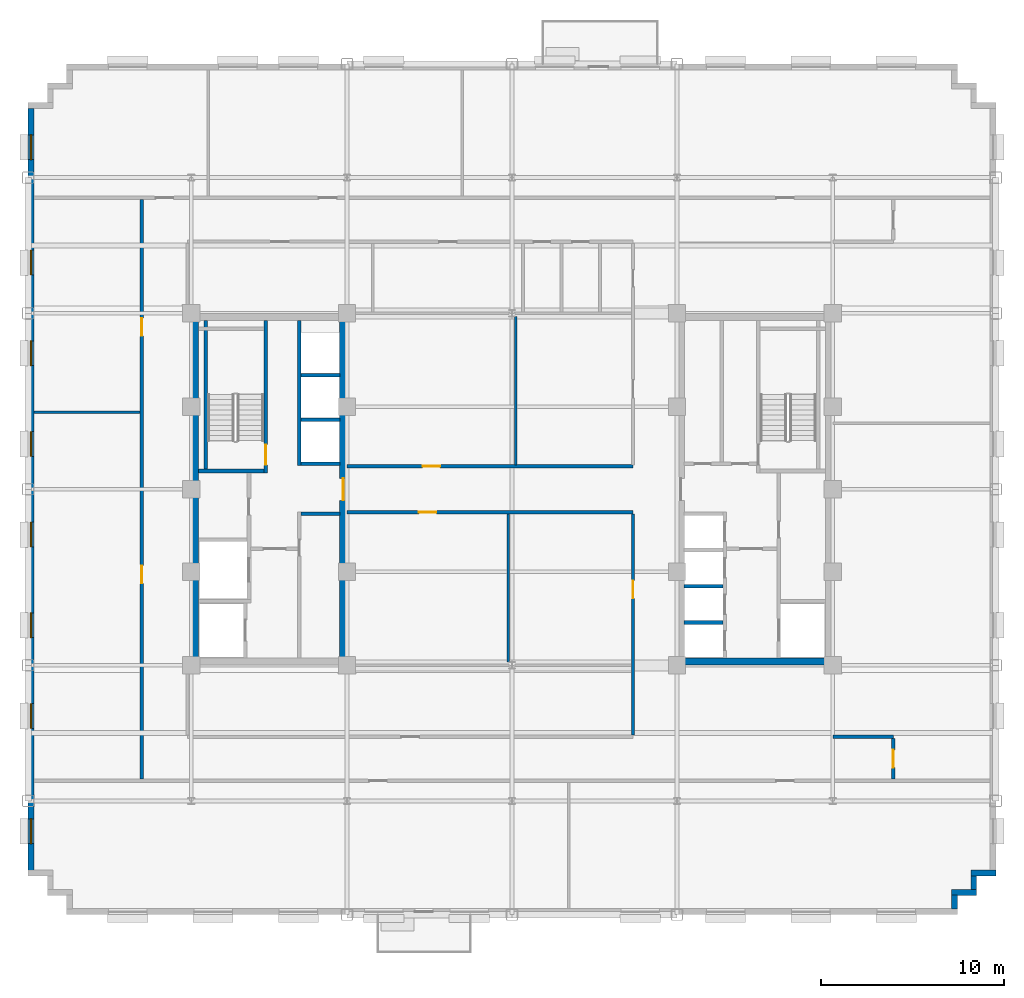
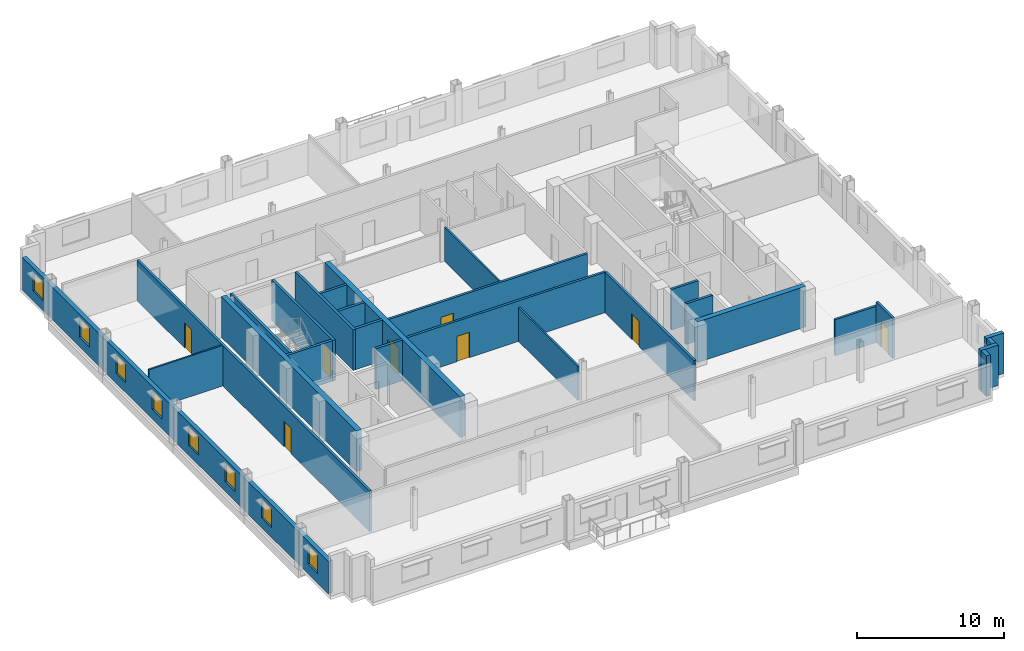
# One storey, part 7 of 14: 27 walls, 8 doors, 8 windows, 16 openings.
"""IFC4 building model written with IfcOpenShell, lengths in metres."""

from ifc_helpers import new_model, si_unit, direction, frame, frame_2d, origin, place, context, subcontext, project, spatial, rectangle, extrude, source, transform, mapped, material, layer, layer_set, type_object, type_shapes, element, fill, save


model = new_model("IFC4")

# Units and contexts
model_context = context("Model", 3, precision=1e-05, world=origin(), true_north=direction((0.0, 1.0)))
body_context = subcontext(model_context, "Body", "Model", "MODEL_VIEW")
ifc_project = project(units=[si_unit("LENGTHUNIT", "METRE"), si_unit("AREAUNIT", "SQUARE_METRE"), si_unit("VOLUMEUNIT", "CUBIC_METRE"), si_unit("PLANEANGLEUNIT", "RADIAN"), si_unit("MASSUNIT", "GRAM", prefix="KILO")], contexts=[model_context])

# Site, building, storey
site_placement = place(None, origin())
site = spatial("IfcSite", under=ifc_project, at=site_placement, CompositionType="ELEMENT")
building_placement = place(site_placement, origin())
building = spatial("IfcBuilding", under=site, at=building_placement, Name="Nuvemarco Arch Tower", CompositionType="ELEMENT")
storey_placement = place(building_placement, frame((0.0, 0.0, 145.75)))
storey = spatial("IfcBuildingStorey", under=building, at=storey_placement, Name="L38", CompositionType="ELEMENT", Elevation=145.75)

# Walls
ifc_material_1 = material(Name="Precast concrete C45/55", Category="concrete")
ifc_layer_1 = layer(ifc_material_1, 0.320068359375, Name="EW-MID-320")
ifc_layer_set_1 = layer_set([ifc_layer_1], Name="Precast concrete C45/55")
wall_type_1 = type_object("IfcWallType", Name="EW-MID-320", PredefinedType="STANDARD", material=ifc_layer_set_1)
wall_1_placement = place(storey_placement, frame((24.139892578125, -22.884033203125, 0.0), z_axis=(0.0, 0.0, 1.0), x_axis=(0.0, 1.0, 0.0)))
element("IfcWall", 1, at=wall_1_placement, inside=storey, type_object=wall_type_1, Name="L38 exterior precast facade wall 2", PredefinedType="STANDARD", context=body_context, shape_type="SweptSolid", body=[
    extrude(rectangle(XDim=0.738037109375, YDim=0.320068359375, at=frame_2d((0.369140625, 0.0))), origin(), (0.0, 0.0, 1.0), 3.360107421875),
])
wall_2_placement = place(storey_placement, frame((23.97998046875, -21.989990234375, 0.0), z_axis=(0.0, 0.0, 1.0), x_axis=(1.0, 0.0, 0.0)))
element("IfcWall", 2, at=wall_2_placement, inside=storey, type_object=wall_type_1, Name="L38 exterior precast facade wall 3", PredefinedType="STANDARD", context=body_context, shape_type="SweptSolid", body=[
    extrude(rectangle(XDim=1.3701171875, YDim=0.320068359375, at=frame_2d((0.68505859375, 0.0))), origin(), (0.0, 0.0, 1.0), 3.360107421875),
])
wall_3_placement = place(storey_placement, frame((25.18994140625, -21.833984375, 0.0), z_axis=(0.0, 0.0, 1.0), x_axis=(0.0, 1.0, 0.0)))
element("IfcWall", 3, at=wall_3_placement, inside=storey, type_object=wall_type_1, Name="L38 exterior precast facade wall 4", PredefinedType="STANDARD", context=body_context, shape_type="SweptSolid", body=[
    extrude(rectangle(XDim=0.738037109375, YDim=0.320068359375, at=frame_2d((0.369140625, 0.0))), origin(), (0.0, 0.0, 1.0), 3.360107421875),
])
wall_4_placement = place(storey_placement, frame((25.030029296875, -20.93994140625, 0.0), z_axis=(0.0, 0.0, 1.0), x_axis=(1.0, 0.0, 0.0)))
element("IfcWall", 4, at=wall_4_placement, inside=storey, type_object=wall_type_1, Name="L38 exterior precast facade wall 5", PredefinedType="STANDARD", context=body_context, shape_type="SweptSolid", body=[
    extrude(rectangle(XDim=1.369873046875, YDim=0.320068359375, at=frame_2d((0.68505859375, 0.0))), origin(), (0.0, 0.0, 1.0), 3.360107421875),
])

# Wall, openings, windows
wall_5_placement = place(storey_placement, frame((-26.239990234375, -20.783935546875, 0.0), z_axis=(0.0, 0.0, 1.0), x_axis=(0.0, 1.0, 0.0)))
wall_5 = element("IfcWall", 5, at=wall_5_placement, inside=storey, type_object=wall_type_1, Name="L38 exterior precast facade wall 16", PredefinedType="STANDARD", context=body_context, shape_type="SweptSolid", body=[
    extrude(rectangle(XDim=41.56787109375, YDim=0.320068359375, at=frame_2d((20.783935546875, 0.0))), origin(), (0.0, 0.0, 1.0), 2.705078125),
])
opening_1_placement = place(wall_5_placement, frame((1.447998046875, 0.0, 0.800048828125)))
opening_1 = element("IfcOpeningElement", 6, at=opening_1_placement, cuts=wall_5, Name="Opening WN-6", PredefinedType="OPENING", context=body_context, shape_type="SweptSolid", body=[
    extrude(rectangle(XDim=1.35009765625, YDim=1.56005859375, at=frame_2d((0.675048828125, 0.780029296875))), frame((0.0, 0.169921875, 0.0), z_axis=(0.0, -1.0, 0.0), x_axis=(1.0, 0.0, 0.0)), (0.0, 0.0, 1.0), 0.340087890625),
])
opening_2_placement = place(wall_5_placement, frame((7.743896484375, 0.0, 0.800048828125)))
opening_2 = element("IfcOpeningElement", 7, at=opening_2_placement, cuts=wall_5, Name="Opening WN-6", PredefinedType="OPENING", context=body_context, shape_type="SweptSolid", body=[
    extrude(rectangle(XDim=1.35009765625, YDim=1.56005859375, at=frame_2d((0.675048828125, 0.780029296875))), frame((0.0, 0.169921875, 0.0), z_axis=(0.0, -1.0, 0.0), x_axis=(1.0, 0.0, 0.0)), (0.0, 0.0, 1.0), 0.340087890625),
])
opening_3_placement = place(wall_5_placement, frame((12.68994140625, 0.0, 0.800048828125)))
opening_3 = element("IfcOpeningElement", 8, at=opening_3_placement, cuts=wall_5, Name="Opening WN-6", PredefinedType="OPENING", context=body_context, shape_type="SweptSolid", body=[
    extrude(rectangle(XDim=1.35009765625, YDim=1.56005859375, at=frame_2d((0.675048828125, 0.780029296875))), frame((0.0, 0.169921875, 0.0), z_axis=(0.0, -1.0, 0.0), x_axis=(1.0, 0.0, 0.0)), (0.0, 0.0, 1.0), 0.340087890625),
])
opening_4_placement = place(wall_5_placement, frame((17.635986328125, 0.0, 0.800048828125)))
opening_4 = element("IfcOpeningElement", 9, at=opening_4_placement, cuts=wall_5, Name="Opening WN-6", PredefinedType="OPENING", context=body_context, shape_type="SweptSolid", body=[
    extrude(rectangle(XDim=1.35009765625, YDim=1.56005859375, at=frame_2d((0.675048828125, 0.780029296875))), frame((0.0, 0.169921875, 0.0), z_axis=(0.0, -1.0, 0.0), x_axis=(1.0, 0.0, 0.0)), (0.0, 0.0, 1.0), 0.340087890625),
])
opening_5_placement = place(wall_5_placement, frame((22.58203125, 0.0, 0.800048828125)))
opening_5 = element("IfcOpeningElement", 10, at=opening_5_placement, cuts=wall_5, Name="Opening WN-6", PredefinedType="OPENING", context=body_context, shape_type="SweptSolid", body=[
    extrude(rectangle(XDim=1.35009765625, YDim=1.56005859375, at=frame_2d((0.675048828125, 0.780029296875))), frame((0.0, 0.169921875, 0.0), z_axis=(0.0, -1.0, 0.0), x_axis=(1.0, 0.0, 0.0)), (0.0, 0.0, 1.0), 0.340087890625),
])
opening_6_placement = place(wall_5_placement, frame((27.528076171875, 0.0, 0.800048828125)))
opening_6 = element("IfcOpeningElement", 11, at=opening_6_placement, cuts=wall_5, Name="Opening WN-6", PredefinedType="OPENING", context=body_context, shape_type="SweptSolid", body=[
    extrude(rectangle(XDim=1.35009765625, YDim=1.56005859375, at=frame_2d((0.675048828125, 0.780029296875))), frame((0.0, 0.169921875, 0.0), z_axis=(0.0, -1.0, 0.0), x_axis=(1.0, 0.0, 0.0)), (0.0, 0.0, 1.0), 0.340087890625),
])
opening_7_placement = place(wall_5_placement, frame((32.47412109375, 0.0, 0.800048828125)))
opening_7 = element("IfcOpeningElement", 12, at=opening_7_placement, cuts=wall_5, Name="Opening WN-6", PredefinedType="OPENING", context=body_context, shape_type="SweptSolid", body=[
    extrude(rectangle(XDim=1.35009765625, YDim=1.56005859375, at=frame_2d((0.675048828125, 0.780029296875))), frame((0.0, 0.169921875, 0.0), z_axis=(0.0, -1.0, 0.0), x_axis=(1.0, 0.0, 0.0)), (0.0, 0.0, 1.0), 0.340087890625),
])
opening_8_placement = place(wall_5_placement, frame((38.77001953125, 0.0, 0.800048828125)))
opening_8 = element("IfcOpeningElement", 13, at=opening_8_placement, cuts=wall_5, Name="Opening WN-6", PredefinedType="OPENING", context=body_context, shape_type="SweptSolid", body=[
    extrude(rectangle(XDim=1.35009765625, YDim=1.56005859375, at=frame_2d((0.675048828125, 0.780029296875))), frame((0.0, 0.169921875, 0.0), z_axis=(0.0, -1.0, 0.0), x_axis=(1.0, 0.0, 0.0)), (0.0, 0.0, 1.0), 0.340087890625),
])
ifc_material_2 = material(Name="Insulated solar-control glass", Category="glass")
window_type = type_object("IfcWindowType", Name="WN-MID-1350x1560", PartitioningType="SINGLE_PANEL", PredefinedType="WINDOW", material=ifc_material_2)
shared_shape_1 = source(origin(), body_context, "Body", "SweptSolid", [
    extrude(rectangle(XDim=1.35009765625, YDim=1.56005859375, at=frame_2d((0.675048828125, 0.780029296875))), frame((0.0, 0.030029296875, 0.0), z_axis=(0.0, -1.0, 0.0), x_axis=(1.0, 0.0, 0.0)), (0.0, 0.0, 1.0), 0.06005859375),
])
type_shapes(window_type, [shared_shape_1])
window_1_placement = place(opening_1_placement, origin())
window_1 = element("IfcWindow", 14, at=window_1_placement, inside=storey, type_object=window_type, Name="L38 punched facade window 1", OverallHeight=1.56005859375, OverallWidth=1.35009765625, PartitioningType="SINGLE_PANEL", PredefinedType="WINDOW", context=body_context, shape_type="MappedRepresentation", body=[
    mapped(shared_shape_1, transform((0.0, 0.0, 0.0), scale=1.0)),
])
fill(opening_1, window_1)
window_2_placement = place(opening_2_placement, origin())
window_2 = element("IfcWindow", 15, at=window_2_placement, inside=storey, type_object=window_type, Name="L38 punched facade window 2", OverallHeight=1.56005859375, OverallWidth=1.35009765625, PartitioningType="SINGLE_PANEL", PredefinedType="WINDOW", context=body_context, shape_type="MappedRepresentation", body=[
    mapped(shared_shape_1, transform((0.0, 0.0, 0.0), scale=1.0)),
])
fill(opening_2, window_2)
window_3_placement = place(opening_3_placement, origin())
window_3 = element("IfcWindow", 16, at=window_3_placement, inside=storey, type_object=window_type, Name="L38 punched facade window 3", OverallHeight=1.56005859375, OverallWidth=1.35009765625, PartitioningType="SINGLE_PANEL", PredefinedType="WINDOW", context=body_context, shape_type="MappedRepresentation", body=[
    mapped(shared_shape_1, transform((0.0, 0.0, 0.0), scale=1.0)),
])
fill(opening_3, window_3)
window_4_placement = place(opening_4_placement, origin())
window_4 = element("IfcWindow", 17, at=window_4_placement, inside=storey, type_object=window_type, Name="L38 punched facade window 4", OverallHeight=1.56005859375, OverallWidth=1.35009765625, PartitioningType="SINGLE_PANEL", PredefinedType="WINDOW", context=body_context, shape_type="MappedRepresentation", body=[
    mapped(shared_shape_1, transform((0.0, 0.0, 0.0), scale=1.0)),
])
fill(opening_4, window_4)
window_5_placement = place(opening_5_placement, origin())
window_5 = element("IfcWindow", 18, at=window_5_placement, inside=storey, type_object=window_type, Name="L38 punched facade window 5", OverallHeight=1.56005859375, OverallWidth=1.35009765625, PartitioningType="SINGLE_PANEL", PredefinedType="WINDOW", context=body_context, shape_type="MappedRepresentation", body=[
    mapped(shared_shape_1, transform((0.0, 0.0, 0.0), scale=1.0)),
])
fill(opening_5, window_5)
window_6_placement = place(opening_6_placement, origin())
window_6 = element("IfcWindow", 19, at=window_6_placement, inside=storey, type_object=window_type, Name="L38 punched facade window 6", OverallHeight=1.56005859375, OverallWidth=1.35009765625, PartitioningType="SINGLE_PANEL", PredefinedType="WINDOW", context=body_context, shape_type="MappedRepresentation", body=[
    mapped(shared_shape_1, transform((0.0, 0.0, 0.0), scale=1.0)),
])
fill(opening_6, window_6)
window_7_placement = place(opening_7_placement, origin())
window_7 = element("IfcWindow", 20, at=window_7_placement, inside=storey, type_object=window_type, Name="L38 punched facade window 7", OverallHeight=1.56005859375, OverallWidth=1.35009765625, PartitioningType="SINGLE_PANEL", PredefinedType="WINDOW", context=body_context, shape_type="MappedRepresentation", body=[
    mapped(shared_shape_1, transform((0.0, 0.0, 0.0), scale=1.0)),
])
fill(opening_7, window_7)
window_8_placement = place(opening_8_placement, origin())
window_8 = element("IfcWindow", 21, at=window_8_placement, inside=storey, type_object=window_type, Name="L38 punched facade window 8", OverallHeight=1.56005859375, OverallWidth=1.35009765625, PartitioningType="SINGLE_PANEL", PredefinedType="WINDOW", context=body_context, shape_type="MappedRepresentation", body=[
    mapped(shared_shape_1, transform((0.0, 0.0, 0.0), scale=1.0)),
])
fill(opening_8, window_8)

# Wall
ifc_material_3 = material(Name="Concrete C60/75", Category="concrete")
ifc_layer_2 = layer(ifc_material_3, 0.39990234375, Name="WL-CORE-400")
ifc_layer_set_2 = layer_set([ifc_layer_2], Name="Concrete C60/75")
wall_type_2 = type_object("IfcWallType", Name="WL-CORE-400", PredefinedType="SHEAR", material=ifc_layer_set_2)
wall_6_placement = place(storey_placement, frame((-17.300048828125, -9.205078125, 0.0), z_axis=(0.0, 0.0, 1.0), x_axis=(0.0, 1.0, 0.0)))
element("IfcWall", 22, at=wall_6_placement, inside=storey, type_object=wall_type_2, Name="L38 W-core shear wall W", PredefinedType="SHEAR", context=body_context, shape_type="SweptSolid", body=[
    extrude(rectangle(XDim=18.41015625, YDim=0.39990234375, at=frame_2d((9.205078125, 0.0))), origin(), (0.0, 0.0, 1.0), 3.3701171875),
])

# Wall, opening, door
wall_7_placement = place(storey_placement, frame((-9.199951171875, -9.205078125, 0.0), z_axis=(0.0, 0.0, 1.0), x_axis=(0.0, 1.0, 0.0)))
wall_7 = element("IfcWall", 23, at=wall_7_placement, inside=storey, type_object=wall_type_2, Name="L38 W-core shear wall E", PredefinedType="SHEAR", context=body_context, shape_type="SweptSolid", body=[
    extrude(rectangle(XDim=18.41015625, YDim=0.39990234375, at=frame_2d((9.205078125, 0.0))), origin(), (0.0, 0.0, 1.0), 3.3701171875),
])
opening_9_placement = place(wall_7_placement, frame((8.60498046875, 0.0, 0.0)))
opening_9 = element("IfcOpeningElement", 24, at=opening_9_placement, cuts=wall_7, Name="Opening FD-2", PredefinedType="OPENING", context=body_context, shape_type="SweptSolid", body=[
    extrude(rectangle(XDim=1.199951171875, YDim=2.14990234375, at=frame_2d((0.60009765625, 1.074951171875))), frame((0.0, 0.2099609375, 0.0), z_axis=(0.0, -1.0, 0.0), x_axis=(1.0, 0.0, 0.0)), (0.0, 0.0, 1.0), 0.419921875),
])
ifc_material_4 = material(Name="Anodised steel fire door", Category="steel")
door_type_1 = type_object("IfcDoorType", Name="DR-FFLOB-FD", OperationType="NOTDEFINED", PredefinedType="DOOR", material=ifc_material_4)
shared_shape_2 = source(origin(), body_context, "Body", "SweptSolid", [
    extrude(rectangle(XDim=1.199951171875, YDim=2.14990234375, at=frame_2d((0.60009765625, 1.074951171875))), frame((0.0, 0.02490234375, 0.0), z_axis=(0.0, -1.0, 0.0), x_axis=(1.0, 0.0, 0.0)), (0.0, 0.0, 1.0), 0.050048828125),
])
type_shapes(door_type_1, [shared_shape_2])
door_1_placement = place(opening_9_placement, origin())
door_1 = element("IfcDoor", 25, at=door_1_placement, inside=storey, type_object=door_type_1, Name="L38 door FD-L38-WCORE-E", OperationType="SINGLE_SWING_LEFT", OverallHeight=2.14990234375, OverallWidth=1.199951171875, PredefinedType="DOOR", context=body_context, shape_type="MappedRepresentation", body=[
    mapped(shared_shape_2, transform((0.0, 0.0, 0.0), scale=1.0)),
])
fill(opening_9, door_1)

# Walls
wall_8_placement = place(storey_placement, frame((9.0, -9.39990234375, 0.0), z_axis=(0.0, 0.0, 1.0), x_axis=(1.0, 0.0, 0.0)))
element("IfcWall", 26, at=wall_8_placement, inside=storey, type_object=wall_type_2, Name="L38 E-core shear wall S", PredefinedType="SHEAR", context=body_context, shape_type="SweptSolid", body=[
    extrude(rectangle(XDim=8.5, YDim=0.39990234375, at=frame_2d((4.25, 0.0))), origin(), (0.0, 0.0, 1.0), 3.3701171875),
])
ifc_material_5 = material(Name="Fire-rated gypsum drywall partition")
ifc_layer_3 = layer(ifc_material_5, 0.179931640625, Name="WL-CORR-180")
ifc_layer_set_3 = layer_set([ifc_layer_3], Name="Fire-rated gypsum drywall partition")
wall_type_3 = type_object("IfcWallType", Name="WL-CORR-180", PredefinedType="PARTITIONING", material=ifc_layer_set_3)
wall_9_placement = place(storey_placement, frame((17.5, -13.5, 0.0), z_axis=(0.0, 0.0, 1.0), x_axis=(1.0, 0.0, 0.0)))
element("IfcWall", 27, at=wall_9_placement, inside=storey, type_object=wall_type_3, Name="L38 interior wall IW-L38-003", PredefinedType="PARTITIONING", context=body_context, shape_type="SweptSolid", body=[
    extrude(rectangle(XDim=3.300048828125, YDim=0.179931640625, at=frame_2d((1.64990234375, 0.0))), origin(), (0.0, 0.0, 1.0), 2.998046875),
])

# Wall, opening, door
wall_10_placement = place(storey_placement, frame((-9.0, -1.25, 0.0), z_axis=(0.0, 0.0, 1.0), x_axis=(1.0, 0.0, 0.0)))
wall_10 = element("IfcWall", 28, at=wall_10_placement, inside=storey, type_object=wall_type_3, Name="L38 interior wall IW-L38-006", PredefinedType="PARTITIONING", context=body_context, shape_type="SweptSolid", body=[
    extrude(rectangle(XDim=15.60009765625, YDim=0.179931640625, at=frame_2d((7.800048828125, 0.0))), origin(), (0.0, 0.0, 1.0), 3.360107421875),
])
opening_10_placement = place(wall_10_placement, frame((3.919921875, 0.0, 0.0)))
opening_10 = element("IfcOpeningElement", 29, at=opening_10_placement, cuts=wall_10, Name="Opening FD-5", PredefinedType="OPENING", context=body_context, shape_type="SweptSolid", body=[
    extrude(rectangle(XDim=0.9599609375, YDim=2.10009765625, at=frame_2d((0.47998046875, 1.050048828125))), frame((0.0, 0.099853515625, 0.0), z_axis=(0.0, -1.0, 0.0), x_axis=(1.0, 0.0, 0.0)), (0.0, 0.0, 1.0), 0.199951171875),
])
ifc_material_6 = material(Name="Timber fire door", Category="wood")
door_type_2 = type_object("IfcDoorType", Name="DR-CORR-FD", OperationType="NOTDEFINED", PredefinedType="DOOR", material=ifc_material_6)
shared_shape_3 = source(origin(), body_context, "Body", "SweptSolid", [
    extrude(rectangle(XDim=0.9599609375, YDim=2.10009765625, at=frame_2d((0.47998046875, 1.050048828125))), frame((0.0, 0.02490234375, 0.0), z_axis=(0.0, -1.0, 0.0), x_axis=(1.0, 0.0, 0.0)), (0.0, 0.0, 1.0), 0.050048828125),
])
type_shapes(door_type_2, [shared_shape_3])
door_2_placement = place(opening_10_placement, origin())
door_2 = element("IfcDoor", 30, at=door_2_placement, inside=storey, type_object=door_type_2, Name="L38 door DR-L38-C_SW", OperationType="SINGLE_SWING_RIGHT", OverallHeight=2.10009765625, OverallWidth=0.9599609375, PredefinedType="DOOR", context=body_context, shape_type="MappedRepresentation", body=[
    mapped(shared_shape_3, transform((0.0, 0.0, 0.0), scale=1.0)),
])
fill(opening_10, door_2)

wall_11_placement = place(storey_placement, frame((-9.0, 1.25, 0.0), z_axis=(0.0, 0.0, 1.0), x_axis=(1.0, 0.0, 0.0)))
wall_11 = element("IfcWall", 31, at=wall_11_placement, inside=storey, type_object=wall_type_3, Name="L38 interior wall IW-L38-007", PredefinedType="PARTITIONING", context=body_context, shape_type="SweptSolid", body=[
    extrude(rectangle(XDim=15.60009765625, YDim=0.179931640625, at=frame_2d((7.800048828125, 0.0))), origin(), (0.0, 0.0, 1.0), 3.360107421875),
])
opening_11_placement = place(wall_11_placement, frame((4.1201171875, 0.0, 0.0)))
opening_11 = element("IfcOpeningElement", 32, at=opening_11_placement, cuts=wall_11, Name="Opening FD-5", PredefinedType="OPENING", context=body_context, shape_type="SweptSolid", body=[
    extrude(rectangle(XDim=0.9599609375, YDim=2.10009765625, at=frame_2d((0.47998046875, 1.050048828125))), frame((0.0, 0.099853515625, 0.0), z_axis=(0.0, -1.0, 0.0), x_axis=(1.0, 0.0, 0.0)), (0.0, 0.0, 1.0), 0.199951171875),
])
door_3_placement = place(opening_11_placement, origin())
door_3 = element("IfcDoor", 33, at=door_3_placement, inside=storey, type_object=door_type_2, Name="L38 door DR-L38-C_NW", OperationType="SINGLE_SWING_LEFT", OverallHeight=2.10009765625, OverallWidth=0.9599609375, PredefinedType="DOOR", context=body_context, shape_type="MappedRepresentation", body=[
    mapped(shared_shape_3, transform((0.0, 0.0, 0.0), scale=1.0)),
])
fill(opening_11, door_3)

# Wall, openings, doors
wall_12_placement = place(storey_placement, frame((-20.199951171875, -15.81396484375, 0.0), z_axis=(0.0, 0.0, 1.0), x_axis=(0.0, 1.0, 0.0)))
wall_12 = element("IfcWall", 34, at=wall_12_placement, inside=storey, type_object=wall_type_3, Name="L38 interior wall IW-L38-015", PredefinedType="PARTITIONING", context=body_context, shape_type="SweptSolid", body=[
    extrude(rectangle(XDim=31.6279296875, YDim=0.179931640625, at=frame_2d((15.81396484375, 0.0))), origin(), (0.0, 0.0, 1.0), 3.360107421875),
])
opening_12_placement = place(wall_12_placement, frame((10.68408203125, 0.0, 0.0)))
opening_12 = element("IfcOpeningElement", 35, at=opening_12_placement, cuts=wall_12, Name="Opening FD-5", PredefinedType="OPENING", context=body_context, shape_type="SweptSolid", body=[
    extrude(rectangle(XDim=0.9599609375, YDim=2.10009765625, at=frame_2d((0.47998046875, 1.050048828125))), frame((0.0, 0.099853515625, 0.0), z_axis=(0.0, -1.0, 0.0), x_axis=(1.0, 0.0, 0.0)), (0.0, 0.0, 1.0), 0.199951171875),
])
opening_13_placement = place(wall_12_placement, frame((24.18408203125, 0.0, 0.0)))
opening_13 = element("IfcOpeningElement", 36, at=opening_13_placement, cuts=wall_12, Name="Opening FD-5", PredefinedType="OPENING", context=body_context, shape_type="SweptSolid", body=[
    extrude(rectangle(XDim=0.9599609375, YDim=2.10009765625, at=frame_2d((0.47998046875, 1.050048828125))), frame((0.0, 0.099853515625, 0.0), z_axis=(0.0, -1.0, 0.0), x_axis=(1.0, 0.0, 0.0)), (0.0, 0.0, 1.0), 0.199951171875),
])
door_4_placement = place(opening_12_placement, origin())
door_4 = element("IfcDoor", 37, at=door_4_placement, inside=storey, type_object=door_type_2, Name="L38 door DR-L38-W_1", OperationType="SINGLE_SWING_LEFT", OverallHeight=2.10009765625, OverallWidth=0.9599609375, PredefinedType="DOOR", context=body_context, shape_type="MappedRepresentation", body=[
    mapped(shared_shape_3, transform((0.0, 0.0, 0.0), scale=1.0)),
])
fill(opening_12, door_4)
door_5_placement = place(opening_13_placement, origin())
door_5 = element("IfcDoor", 38, at=door_5_placement, inside=storey, type_object=door_type_2, Name="L38 door DR-L38-W_2", OperationType="SINGLE_SWING_RIGHT", OverallHeight=2.10009765625, OverallWidth=0.9599609375, PredefinedType="DOOR", context=body_context, shape_type="MappedRepresentation", body=[
    mapped(shared_shape_3, transform((0.0, 0.0, 0.0), scale=1.0)),
])
fill(opening_13, door_5)

# Wall, opening, door
wall_13_placement = place(storey_placement, frame((6.60009765625, -13.4140625, 0.0), z_axis=(0.0, 0.0, 1.0), x_axis=(0.0, 1.0, 0.0)))
wall_13 = element("IfcWall", 39, at=wall_13_placement, inside=storey, type_object=wall_type_3, Name="L38 interior wall IW-L38-027", PredefinedType="PARTITIONING", context=body_context, shape_type="SweptSolid", body=[
    extrude(rectangle(XDim=12.078125, YDim=0.179931640625, at=frame_2d((6.0390625, 0.0))), origin(), (0.0, 0.0, 1.0), 3.360107421875),
])
opening_14_placement = place(wall_13_placement, frame((7.466064453125, 0.0, 0.0)))
opening_14 = element("IfcOpeningElement", 40, at=opening_14_placement, cuts=wall_13, Name="Opening FD-5", PredefinedType="OPENING", context=body_context, shape_type="SweptSolid", body=[
    extrude(rectangle(XDim=0.9599609375, YDim=2.10009765625, at=frame_2d((0.47998046875, 1.050048828125))), frame((0.0, 0.099853515625, 0.0), z_axis=(0.0, -1.0, 0.0), x_axis=(1.0, 0.0, 0.0)), (0.0, 0.0, 1.0), 0.199951171875),
])
door_6_placement = place(opening_14_placement, origin())
door_6 = element("IfcDoor", 41, at=door_6_placement, inside=storey, type_object=door_type_2, Name="L38 door DR-L38-C_SE", OperationType="SINGLE_SWING_RIGHT", OverallHeight=2.10009765625, OverallWidth=0.9599609375, PredefinedType="DOOR", context=body_context, shape_type="MappedRepresentation", body=[
    mapped(shared_shape_3, transform((0.0, 0.0, 0.0), scale=1.0)),
])
fill(opening_14, door_6)

wall_14_placement = place(storey_placement, frame((20.800048828125, -15.81396484375, 0.0), z_axis=(0.0, 0.0, 1.0), x_axis=(0.0, 1.0, 0.0)))
wall_14 = element("IfcWall", 42, at=wall_14_placement, inside=storey, type_object=wall_type_3, Name="L38 interior wall IW-L38-029", PredefinedType="PARTITIONING", context=body_context, shape_type="SweptSolid", body=[
    extrude(rectangle(XDim=2.22802734375, YDim=0.179931640625, at=frame_2d((1.114013671875, 0.0))), origin(), (0.0, 0.0, 1.0), 3.360107421875),
])
opening_15_placement = place(wall_14_placement, frame((0.634033203125, 0.0, 0.0)))
opening_15 = element("IfcOpeningElement", 43, at=opening_15_placement, cuts=wall_14, Name="Opening FD-5", PredefinedType="OPENING", context=body_context, shape_type="SweptSolid", body=[
    extrude(rectangle(XDim=0.9599609375, YDim=2.10009765625, at=frame_2d((0.47998046875, 1.050048828125))), frame((0.0, 0.099853515625, 0.0), z_axis=(0.0, -1.0, 0.0), x_axis=(1.0, 0.0, 0.0)), (0.0, 0.0, 1.0), 0.199951171875),
])
door_7_placement = place(opening_15_placement, origin())
door_7 = element("IfcDoor", 44, at=door_7_placement, inside=storey, type_object=door_type_2, Name="L38 door DR-L38-E_1", OperationType="SINGLE_SWING_RIGHT", OverallHeight=2.10009765625, OverallWidth=0.9599609375, PredefinedType="DOOR", context=body_context, shape_type="MappedRepresentation", body=[
    mapped(shared_shape_3, transform((0.0, 0.0, 0.0), scale=1.0)),
])
fill(opening_15, door_7)

# Walls
ifc_material_7 = material(Name="Glazed acoustic office partition")
ifc_layer_4 = layer(ifc_material_7, 0.1298828125, Name="WL-EXEC-130")
ifc_layer_set_4 = layer_set([ifc_layer_4], Name="Glazed acoustic office partition")
wall_type_4 = type_object("IfcWallType", Name="WL-EXEC-130", PredefinedType="PARTITIONING", material=ifc_layer_set_4)
wall_15_placement = place(storey_placement, frame((-26.080078125, 4.199951171875, 0.0), z_axis=(0.0, 0.0, 1.0), x_axis=(1.0, 0.0, 0.0)))
element("IfcWall", 45, at=wall_15_placement, inside=storey, type_object=wall_type_4, Name="L38 interior wall IW-L38-009", PredefinedType="PARTITIONING", context=body_context, shape_type="SweptSolid", body=[
    extrude(rectangle(XDim=5.794189453125, YDim=0.1298828125, at=frame_2d((2.89697265625, 0.0))), origin(), (0.0, 0.0, 1.0), 3.360107421875),
])
wall_16_placement = place(storey_placement, frame((0.199951171875, 1.3359375, 0.0), z_axis=(0.0, 0.0, 1.0), x_axis=(0.0, 1.0, 0.0)))
element("IfcWall", 46, at=wall_16_placement, inside=storey, type_object=wall_type_4, Name="L38 interior wall IW-L38-022", PredefinedType="PARTITIONING", context=body_context, shape_type="SweptSolid", body=[
    extrude(rectangle(XDim=8.088134765625, YDim=0.1298828125, at=frame_2d((4.0439453125, 0.0))), origin(), (0.0, 0.0, 1.0), 2.81591796875),
])
ifc_material_8 = material(Name="Gypsum plasterboard partition")
ifc_layer_5 = layer(ifc_material_8, 0.139892578125, Name="WL-ROOM-140")
ifc_layer_set_5 = layer_set([ifc_layer_5], Name="Gypsum plasterboard partition")
wall_type_5 = type_object("IfcWallType", Name="WL-ROOM-140", PredefinedType="PARTITIONING", material=ifc_layer_set_5)
wall_17_placement = place(storey_placement, frame((-0.199951171875, -9.424072265625, 0.0), z_axis=(0.0, 0.0, 1.0), x_axis=(0.0, 1.0, 0.0)))
element("IfcWall", 47, at=wall_17_placement, inside=storey, type_object=wall_type_5, Name="L38 interior wall IW-L38-021", PredefinedType="PARTITIONING", context=body_context, shape_type="SweptSolid", body=[
    extrude(rectangle(XDim=8.088134765625, YDim=0.139892578125, at=frame_2d((4.0439453125, 0.0))), origin(), (0.0, 0.0, 1.0), 2.81591796875),
])

# Wall, opening, door
ifc_material_9 = material(Name="Concrete C50/60", Category="concrete")
ifc_layer_6 = layer(ifc_material_9, 0.199951171875, Name="WL-SHAFT-220")
ifc_layer_set_6 = layer_set([ifc_layer_6], Name="Concrete C50/60")
wall_type_6 = type_object("IfcWallType", Name="WL-SHAFT-220", PredefinedType="SHEAR", material=ifc_layer_set_6)
wall_18_placement = place(storey_placement, frame((-13.43994140625, 0.89990234375, 0.0), z_axis=(0.0, 0.0, 1.0), x_axis=(0.0, 1.0, 0.0)))
wall_18 = element("IfcWall", 48, at=wall_18_placement, inside=storey, type_object=wall_type_6, Name="L38 structural shaft wall SW-L38-W-ST1E", PredefinedType="SHEAR", context=body_context, shape_type="SweptSolid", body=[
    extrude(rectangle(XDim=8.30517578125, YDim=0.199951171875, at=frame_2d((4.152587890625, 0.0))), origin(), (0.0, 0.0, 1.0), 3.3701171875),
])
opening_16_placement = place(wall_18_placement, frame((1.530029296875, 0.0, 0.0), z_axis=(0.0, 0.0, 1.0), x_axis=(-1.0, 0.0, 0.0)))
opening_16 = element("IfcOpeningElement", 49, at=opening_16_placement, cuts=wall_18, Name="Opening FD-1", PredefinedType="OPENING", context=body_context, shape_type="SweptSolid", body=[
    extrude(rectangle(XDim=1.10009765625, YDim=2.14990234375, at=frame_2d((0.550048828125, 1.074951171875))), frame((0.0, 0.10986328125, 0.0), z_axis=(0.0, -1.0, 0.0), x_axis=(1.0, 0.0, 0.0)), (0.0, 0.0, 1.0), 0.219970703125),
])
door_type_3 = type_object("IfcDoorType", Name="DR-STAIR-FD", OperationType="NOTDEFINED", PredefinedType="DOOR", material=ifc_material_4)
shared_shape_4 = source(origin(), body_context, "Body", "SweptSolid", [
    extrude(rectangle(XDim=1.10009765625, YDim=2.14990234375, at=frame_2d((0.550048828125, 1.074951171875))), frame((0.0, 0.02490234375, 0.0), z_axis=(0.0, -1.0, 0.0), x_axis=(1.0, 0.0, 0.0)), (0.0, 0.0, 1.0), 0.050048828125),
])
type_shapes(door_type_3, [shared_shape_4])
door_8_placement = place(opening_16_placement, origin())
door_8 = element("IfcDoor", 50, at=door_8_placement, inside=storey, type_object=door_type_3, Name="L38 door FD-L38-ST1", OperationType="SINGLE_SWING_RIGHT", OverallHeight=2.14990234375, OverallWidth=1.10009765625, PredefinedType="DOOR", context=body_context, shape_type="MappedRepresentation", body=[
    mapped(shared_shape_4, transform((0.0, 0.0, 0.0), scale=1.0)),
])
fill(opening_16, door_8)

# Walls
wall_19_placement = place(storey_placement, frame((-17.10498046875, 1.0, 0.0), z_axis=(0.0, 0.0, 1.0), x_axis=(1.0, 0.0, 0.0)))
element("IfcWall", 51, at=wall_19_placement, inside=storey, type_object=wall_type_6, Name="L38 structural shaft wall SW-L38-W-ST1S", PredefinedType="SHEAR", context=body_context, shape_type="SweptSolid", body=[
    extrude(rectangle(XDim=3.570068359375, YDim=0.199951171875, at=frame_2d((1.78515625, 0.0))), origin(), (0.0, 0.0, 1.0), 3.3701171875),
])
wall_20_placement = place(storey_placement, frame((-16.699951171875, 1.094970703125, 0.0), z_axis=(0.0, 0.0, 1.0), x_axis=(0.0, 1.0, 0.0)))
element("IfcWall", 52, at=wall_20_placement, inside=storey, type_object=wall_type_6, Name="L38 structural shaft wall SW-L38-W-ST1W", PredefinedType="SHEAR", context=body_context, shape_type="SweptSolid", body=[
    extrude(rectangle(XDim=8.110107421875, YDim=0.199951171875, at=frame_2d((4.05517578125, 0.0))), origin(), (0.0, 0.0, 1.0), 3.3701171875),
])
wall_21_placement = place(storey_placement, frame((-11.5048828125, -1.330078125, 0.0), z_axis=(0.0, 0.0, 1.0), x_axis=(1.0, 0.0, 0.0)))
element("IfcWall", 53, at=wall_21_placement, inside=storey, type_object=wall_type_6, Name="L38 structural shaft wall SW-L38-W-PLTOP", PredefinedType="SHEAR", context=body_context, shape_type="SweptSolid", body=[
    extrude(rectangle(XDim=2.10986328125, YDim=0.199951171875, at=frame_2d((1.054931640625, 0.0))), origin(), (0.0, 0.0, 1.0), 3.3701171875),
])
wall_22_placement = place(storey_placement, frame((-11.60009765625, 1.300048828125, 0.0), z_axis=(0.0, 0.0, 1.0), x_axis=(0.0, 1.0, 0.0)))
element("IfcWall", 54, at=wall_22_placement, inside=storey, type_object=wall_type_6, Name="L38 structural shaft wall SW-L38-W-PHW", PredefinedType="SHEAR", context=body_context, shape_type="SweptSolid", body=[
    extrude(rectangle(XDim=7.905029296875, YDim=0.199951171875, at=frame_2d((3.95263671875, 0.0))), origin(), (0.0, 0.0, 1.0), 3.3701171875),
])
for number, where, z_axis, x_axis, name in (
    (55, (-11.5048828125, 1.39990234375, 0.0), (0.0, 0.0, 1.0), (1.0, 0.0, 0.0), "L38 structural shaft wall SW-L38-W-PHD1"),
    (56, (-11.5048828125, 3.800048828125, 0.0), (0.0, 0.0, 1.0), (1.0, 0.0, 0.0), "L38 structural shaft wall SW-L38-W-PHD2"),
    (57, (-11.5048828125, 6.219970703125, 0.0), (0.0, 0.0, 1.0), (1.0, 0.0, 0.0), "L38 structural shaft wall SW-L38-W-PHD3"),
    (58, (9.39501953125, -7.27001953125, 0.0), (0.0, 0.0, 1.0), (1.0, 0.0, 0.0), "L38 structural shaft wall SW-L38-E-PMD1"),
    (59, (9.39501953125, -5.2900390625, 0.0), (0.0, 0.0, 1.0), (1.0, 0.0, 0.0), "L38 structural shaft wall SW-L38-E-PMD2"),
):
    element("IfcWall", number, at=place(storey_placement, frame(where, z_axis=z_axis, x_axis=x_axis)), inside=storey, type_object=wall_type_6, Name=name, PredefinedType="SHEAR", context=body_context, shape_type="SweptSolid", body=[
        extrude(rectangle(XDim=2.10986328125, YDim=0.199951171875, at=frame_2d((1.054931640625, 0.0))), origin(), (0.0, 0.0, 1.0), 3.3701171875),
    ])

save(model, "model.ifc")
